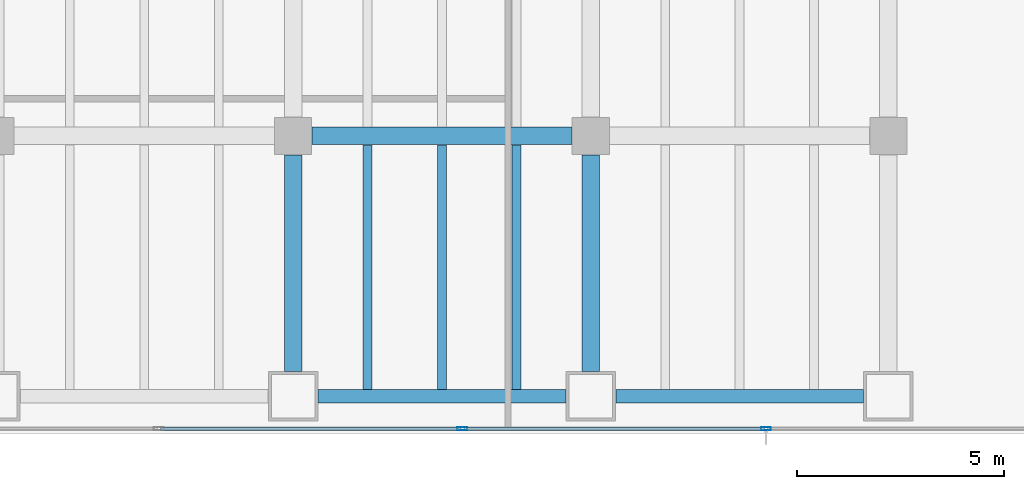
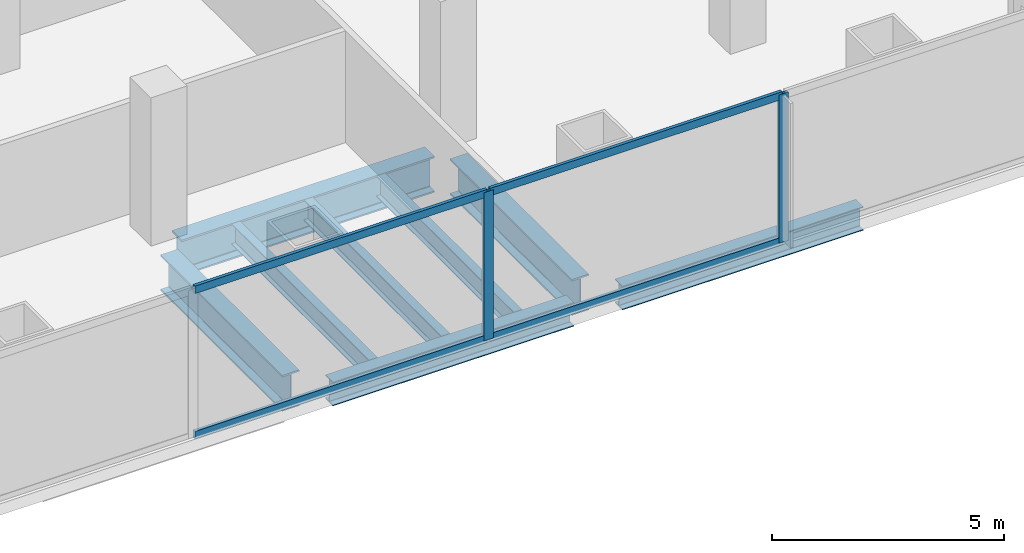
# One storey, part 16 of 31: 8 beams, 6 members, 1 element without a shape of its own.
"""IFC4 building model written with IfcOpenShell, lengths in metres."""

from ifc_helpers import new_model, si_unit, direction, frame, origin, origin_2d, place, context, subcontext, project, spatial, hollow_rectangle, i_section, extrude, material, material_profile, profile_set, type_object, element, aggregate, save


model = new_model("IFC4")

# Units and contexts
model_context = context("Model", 3, precision=1e-05, world=origin(), true_north=direction((0.0, 1.0)))
body_context = subcontext(model_context, "Body", "Model", "MODEL_VIEW")
ifc_project = project(units=[si_unit("LENGTHUNIT", "METRE"), si_unit("AREAUNIT", "SQUARE_METRE"), si_unit("VOLUMEUNIT", "CUBIC_METRE"), si_unit("PLANEANGLEUNIT", "RADIAN"), si_unit("MASSUNIT", "GRAM", prefix="KILO")], contexts=[model_context])

# Site, building, storey
site_placement = place(None, origin())
site = spatial("IfcSite", under=ifc_project, at=site_placement, CompositionType="ELEMENT")
building_placement = place(site_placement, origin())
building = spatial("IfcBuilding", under=site, at=building_placement, Name="Cobrela Telecom Tower", CompositionType="ELEMENT")
storey_placement = place(building_placement, frame((0.0, 0.0, 9.449951171875)))
storey = spatial("IfcBuildingStorey", under=building, at=storey_placement, Name="L02", CompositionType="ELEMENT", Elevation=9.449951171875)

# Beams
ifc_material_1 = material(Name="Steel ASTM A992 Grade 50", Category="steel")
ifc_material_profile_1 = material_profile(ifc_material_1, i_section(OverallWidth=0.424072265625, OverallDepth=0.947021484375, WebThickness=0.02392578125, FlangeThickness=0.042724609375, FilletRadius=0.02392578125, at=origin_2d()), Name="W36X302")
ifc_profile_set_1 = profile_set([ifc_material_profile_1], Name="Steel ASTM A992 Grade 50")
beam_type_1 = type_object("IfcBeamType", Name="BM-GIRD-01", PredefinedType="USERDEFINED", material=ifc_profile_set_1)
beam_placement = place(storey_placement, frame((65.2548828125, 7.199951171875, -0.7734375), z_axis=(1.0, 0.0, 0.0), x_axis=(0.0, 1.0, 0.0)))
element("IfcBeam", 1, at=beam_placement, inside=storey, type_object=beam_type_1, Name="L02 Primary Girder X18", ObjectType="GIRDER", PredefinedType="USERDEFINED", context=body_context, shape_type="SweptSolid", body=[
    extrude(i_section(OverallWidth=0.424072265625, OverallDepth=0.947021484375, WebThickness=0.02392578125, FlangeThickness=0.042724609375, FilletRadius=0.02392578125, at=origin_2d()), origin(), (0.0, 0.0, 1.0), 6.2900390625),
])
for number, where, z_axis, x_axis, name in (
    (2, (64.800048828125, 1.5048828125, -0.7734375), (0.0, 1.0, 0.0), (-1.0, 0.0, 0.0), "L02 Primary Girder Y91"),
    (3, (72.0, 1.5048828125, -0.7734375), (0.0, 1.0, 0.0), (-1.0, 0.0, 0.0), "L02 Primary Girder Y94"),
):
    element("IfcBeam", number, at=place(storey_placement, frame(where, z_axis=z_axis, x_axis=x_axis)), inside=storey, type_object=beam_type_1, Name=name, ObjectType="GIRDER", PredefinedType="USERDEFINED", context=body_context, shape_type="SweptSolid", body=[
        extrude(i_section(OverallWidth=0.424072265625, OverallDepth=0.947021484375, WebThickness=0.02392578125, FlangeThickness=0.042724609375, FilletRadius=0.02392578125, at=origin_2d()), origin(), (0.0, 0.0, 1.0), 5.240234375),
    ])
ifc_material_profile_2 = material_profile(ifc_material_1, i_section(OverallWidth=0.212890625, OverallDepth=0.549072265625, WebThickness=0.0146484375, FlangeThickness=0.023681640625, FilletRadius=0.013916015625, at=origin_2d()), Name="W21X93")
ifc_profile_set_2 = profile_set([ifc_material_profile_2], Name="Steel ASTM A992 Grade 50")
beam_type_2 = type_object("IfcBeamType", Name="BM-JOIST-01", PredefinedType="JOIST", material=ifc_profile_set_2)
for number, where, z_axis, x_axis, name in (
    (4, (66.60009765625, 1.069091796875, -0.574462890625), (0.0, 1.0, 0.0), (-1.0, 0.0, 0.0), "L02 Secondary Composite Floor Beam J118"),
    (5, (68.39990234375, 1.069091796875, -0.574462890625), (0.0, 1.0, 0.0), (-1.0, 0.0, 0.0), "L02 Secondary Composite Floor Beam J121"),
    (6, (70.199951171875, 1.069091796875, -0.574462890625), (0.0, 1.0, 0.0), (-1.0, 0.0, 0.0), "L02 Secondary Composite Floor Beam J124"),
):
    element("IfcBeam", number, at=place(storey_placement, frame(where, z_axis=z_axis, x_axis=x_axis)), inside=storey, type_object=beam_type_2, Name=name, PredefinedType="JOIST", context=body_context, shape_type="SweptSolid", body=[
        extrude(i_section(OverallWidth=0.212890625, OverallDepth=0.549072265625, WebThickness=0.0146484375, FlangeThickness=0.023681640625, FilletRadius=0.013916015625, at=origin_2d()), origin(), (0.0, 0.0, 1.0), 5.913818359375),
    ])
ifc_material_profile_3 = material_profile(ifc_material_1, i_section(OverallWidth=0.327880859375, OverallDepth=0.6220703125, WebThickness=0.015380859375, FlangeThickness=0.0244140625, FilletRadius=0.014892578125, at=origin_2d()), Name="W24X131")
ifc_profile_set_3 = profile_set([ifc_material_profile_3], Name="Steel ASTM A992 Grade 50")
beam_type_3 = type_object("IfcBeamType", Name="BM-SPAND-01", PredefinedType="SPANDREL", material=ifc_profile_set_3)
for number, where, z_axis, x_axis, name in (
    (7, (65.405029296875, 0.89990234375, -0.61083984375), (1.0, 0.0, 0.0), (0.0, 1.0, 0.0), "L02 Perimeter Spandrel X08"),
    (8, (72.60498046875, 0.89990234375, -0.61083984375), (1.0, 0.0, 0.0), (0.0, 1.0, 0.0), "L02 Perimeter Spandrel X09"),
):
    element("IfcBeam", number, at=place(storey_placement, frame(where, z_axis=z_axis, x_axis=x_axis)), inside=storey, type_object=beam_type_3, Name=name, PredefinedType="SPANDREL", context=body_context, shape_type="SweptSolid", body=[
        extrude(i_section(OverallWidth=0.327880859375, OverallDepth=0.6220703125, WebThickness=0.015380859375, FlangeThickness=0.0244140625, FilletRadius=0.014892578125, at=origin_2d()), origin(), (0.0, 0.0, 1.0), 5.989990234375),
    ])

# Curtain wall, members
ifc_material_2 = material(Name="Anodized Bronze Aluminium 6063-T6", Category="aluminium")
curtain_wall_type = type_object("IfcCurtainWallType", Name="CW-SYS-CONC", PredefinedType="USERDEFINED", material=ifc_material_2)
curtain_wall_placement = place(storey_placement, origin())
curtain_wall = element("IfcCurtainWall", 9, at=curtain_wall_placement, inside=storey, type_object=curtain_wall_type, Name="L02 Unitised Bronze Curtain Wall 17", ObjectType="UNITISED CURTAIN WALL", PredefinedType="USERDEFINED")
ifc_material_profile_4 = material_profile(ifc_material_2, hollow_rectangle(XDim=0.080078125, YDim=0.239990234375, WallThickness=0.0048828125, at=origin_2d()), Name="ALU 80x240x5")
ifc_profile_set_4 = profile_set([ifc_material_profile_4], Name="Anodized Bronze Aluminium 6063-T6")
member_type_1 = type_object("IfcMemberType", Name="CW-SYS-CONC-MUL", PredefinedType="MULLION", material=ifc_profile_set_4)
member_1_placement = place(storey_placement, frame((76.23828125, 0.1201171875, 0.0), z_axis=(0.0, 0.0, 1.0), x_axis=(0.0, -1.0, 0.0)))
member_1 = element("IfcMember", 10, at=member_1_placement, type_object=member_type_1, Name="CW-CONC mullion 2", PredefinedType="MULLION", context=body_context, shape_type="SweptSolid", body=[
    extrude(hollow_rectangle(XDim=0.080078125, YDim=0.239990234375, WallThickness=0.0048828125, at=origin_2d()), origin(), (0.0, 0.0, 1.0), 3.900146484375),
])
member_2_placement = place(storey_placement, frame((68.896484375, 0.1201171875, 0.0), z_axis=(0.0, 0.0, 1.0), x_axis=(0.0, -1.0, 0.0)))
member_2 = element("IfcMember", 11, at=member_2_placement, type_object=member_type_1, Name="CW-CONC mullion 3", PredefinedType="MULLION", context=body_context, shape_type="SweptSolid", body=[
    extrude(hollow_rectangle(XDim=0.080078125, YDim=0.239990234375, WallThickness=0.0048828125, at=origin_2d()), origin(), (0.0, 0.0, 1.0), 3.900146484375),
])
ifc_material_profile_5 = material_profile(ifc_material_2, hollow_rectangle(XDim=0.080078125, YDim=0.199951171875, WallThickness=0.00390625, at=origin_2d()), Name="ALU 80x200x4")
ifc_profile_set_5 = profile_set([ifc_material_profile_5], Name="Anodized Bronze Aluminium 6063-T6")
member_type_2 = type_object("IfcMemberType", Name="CW-SYS-CONC-TRN", PredefinedType="USERDEFINED", material=ifc_profile_set_5)
member_3_placement = place(storey_placement, frame((76.1982421875, 0.1201171875, 0.0400390625), z_axis=(-1.0, 0.0, 0.0), x_axis=(0.0, -1.0, 0.0)))
member_3 = element("IfcMember", 12, at=member_3_placement, type_object=member_type_2, Name="CW-CONC transom 2.1", ObjectType="TRANSOM", PredefinedType="USERDEFINED", context=body_context, shape_type="SweptSolid", body=[
    extrude(hollow_rectangle(XDim=0.080078125, YDim=0.199951171875, WallThickness=0.00390625, at=origin_2d()), origin(), (0.0, 0.0, 1.0), 7.261962890625),
])
member_4_placement = place(storey_placement, frame((76.1982421875, 0.1201171875, 3.860107421875), z_axis=(-1.0, 0.0, 0.0), x_axis=(0.0, -1.0, 0.0)))
member_4 = element("IfcMember", 13, at=member_4_placement, type_object=member_type_2, Name="CW-CONC transom 2.2", ObjectType="TRANSOM", PredefinedType="USERDEFINED", context=body_context, shape_type="SweptSolid", body=[
    extrude(hollow_rectangle(XDim=0.080078125, YDim=0.199951171875, WallThickness=0.00390625, at=origin_2d()), origin(), (0.0, 0.0, 1.0), 7.261962890625),
])
member_5_placement = place(storey_placement, frame((68.8564453125, 0.1201171875, 0.0400390625), z_axis=(-1.0, 0.0, 0.0), x_axis=(0.0, -1.0, 0.0)))
member_5 = element("IfcMember", 14, at=member_5_placement, type_object=member_type_2, Name="CW-CONC transom 3.1", ObjectType="TRANSOM", PredefinedType="USERDEFINED", context=body_context, shape_type="SweptSolid", body=[
    extrude(hollow_rectangle(XDim=0.080078125, YDim=0.199951171875, WallThickness=0.00390625, at=origin_2d()), origin(), (0.0, 0.0, 1.0), 7.261962890625),
])
member_6_placement = place(storey_placement, frame((68.8564453125, 0.1201171875, 3.860107421875), z_axis=(-1.0, 0.0, 0.0), x_axis=(0.0, -1.0, 0.0)))
member_6 = element("IfcMember", 15, at=member_6_placement, type_object=member_type_2, Name="CW-CONC transom 3.2", ObjectType="TRANSOM", PredefinedType="USERDEFINED", context=body_context, shape_type="SweptSolid", body=[
    extrude(hollow_rectangle(XDim=0.080078125, YDim=0.199951171875, WallThickness=0.00390625, at=origin_2d()), origin(), (0.0, 0.0, 1.0), 7.261962890625),
])
aggregate(curtain_wall, [member_1, member_2, member_3, member_4, member_5, member_6])

save(model, "model.ifc")
